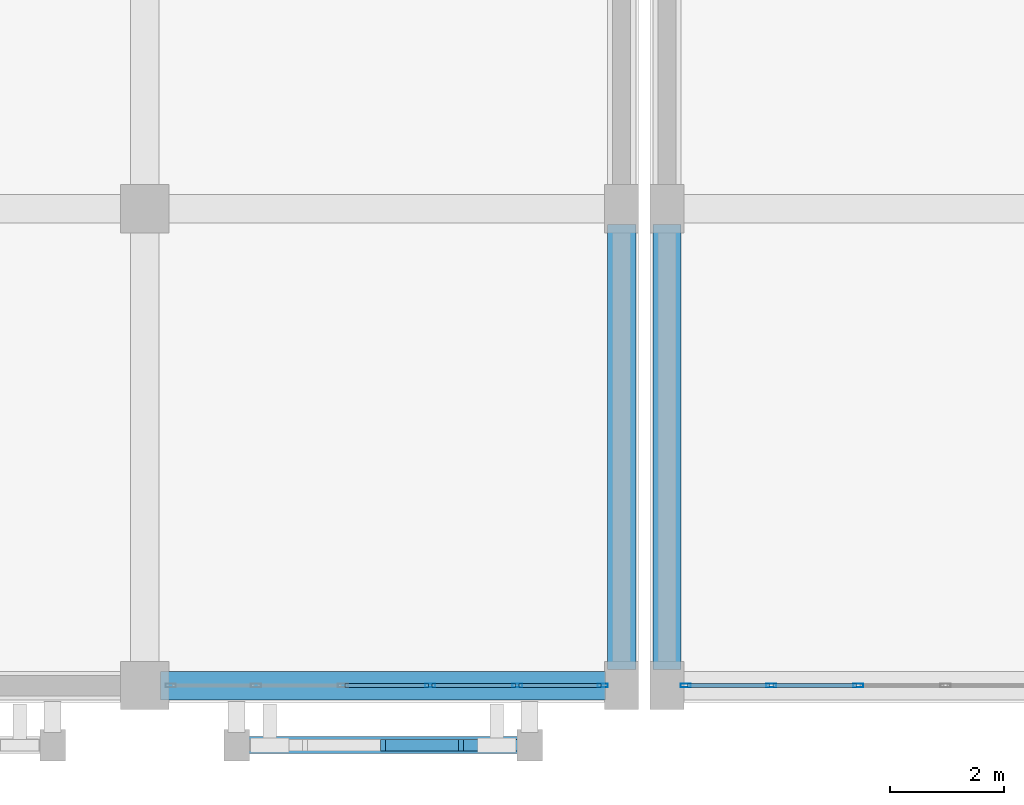
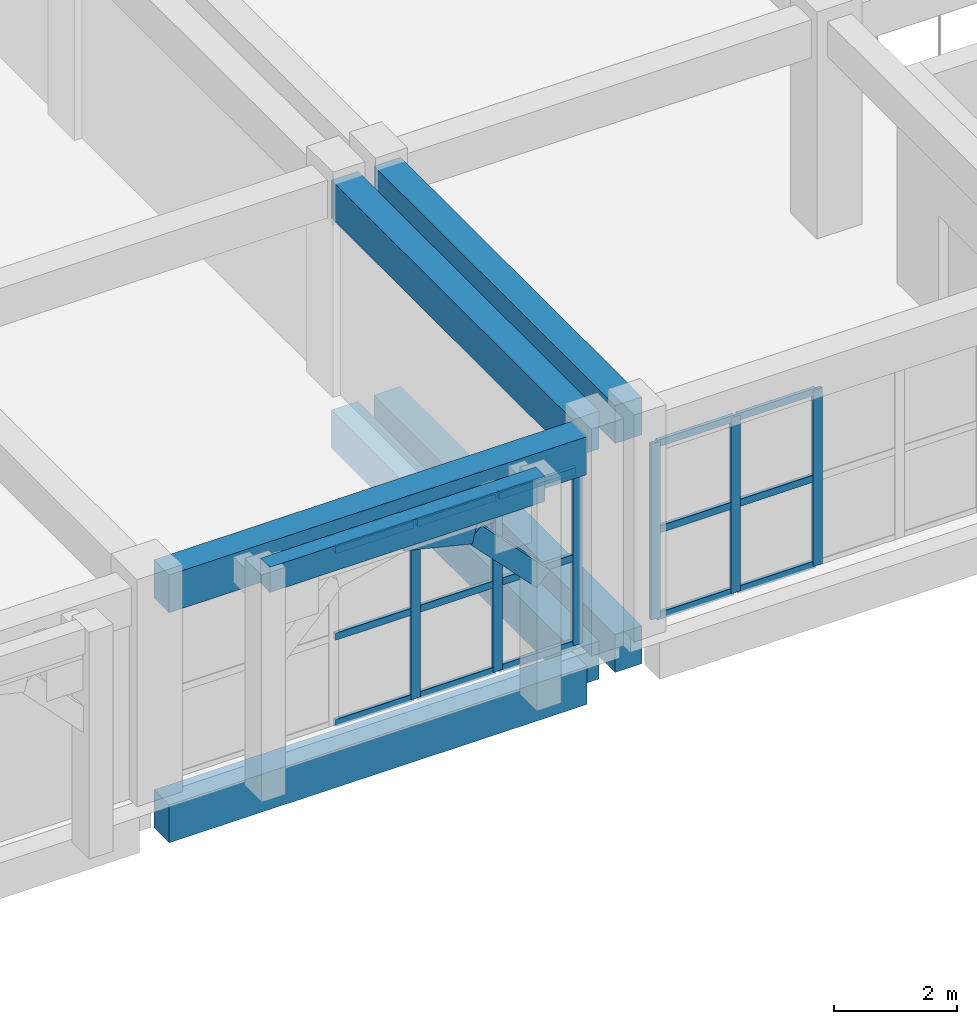
# One storey, part 25 of 129: 23 members, 7 beams, 2 elements without a shape of their own.
"""IFC4 building model written with IfcOpenShell, lengths in metres."""

from ifc_helpers import new_model, si_unit, direction, frame, origin, origin_2d, place, context, subcontext, project, spatial, rectangle, hollow_rectangle, extrude, material, layer, layer_set, material_profile, profile_set, type_object, element, aggregate, save


model = new_model("IFC4")

# Units and contexts
model_context = context("Model", 3, precision=1e-05, world=origin(), true_north=direction((0.0, 1.0)))
body_context = subcontext(model_context, "Body", "Model", "MODEL_VIEW")
ifc_project = project(units=[si_unit("LENGTHUNIT", "METRE"), si_unit("AREAUNIT", "SQUARE_METRE"), si_unit("VOLUMEUNIT", "CUBIC_METRE"), si_unit("PLANEANGLEUNIT", "RADIAN"), si_unit("MASSUNIT", "GRAM", prefix="KILO")], contexts=[model_context])

# Site, building, storey
site_placement = place(None, origin())
site = spatial("IfcSite", under=ifc_project, at=site_placement, CompositionType="ELEMENT")
building_placement = place(site_placement, origin())
building = spatial("IfcBuilding", under=site, at=building_placement, Name="Xazarin Passage Department Store", CompositionType="ELEMENT")
storey_placement = place(building_placement, frame((0.0, 0.0, 9.89990234375)))
storey = spatial("IfcBuildingStorey", under=building, at=storey_placement, Name="L02", CompositionType="ELEMENT", Elevation=9.89990234375)

# Curtain wall, members
ifc_material_1 = material(Name="Bronze anodised aluminium", Category="aluminium")
ifc_layer_1 = layer(ifc_material_1, 0.159912109375)
ifc_layer_set_1 = layer_set([ifc_layer_1], Name="Bronze anodised aluminium")
curtain_wall_type_1 = type_object("IfcCurtainWallType", Name="ARC-CW-ARC1", PredefinedType="NOTDEFINED", material=ifc_layer_set_1)
curtain_wall_1_placement = place(storey_placement, origin())
curtain_wall_1 = element("IfcCurtainWall", 1, at=curtain_wall_1_placement, inside=storey, type_object=curtain_wall_type_1, Name="L02 V2S Curtain Wall 104", PredefinedType="NOTDEFINED")
ifc_material_profile_1 = material_profile(ifc_material_1, hollow_rectangle(XDim=0.06494140625, YDim=0.179931640625, WallThickness=0.00390625, at=origin_2d()), Name="ALU 65x180")
ifc_profile_set_1 = profile_set([ifc_material_profile_1], Name="Bronze anodised aluminium")
member_type_1 = type_object("IfcMemberType", Name="ARC-CWM-65x180", PredefinedType="MULLION", material=ifc_profile_set_1)
member_1_placement = place(storey_placement, frame((68.33251953125, 0.0, 0.0), z_axis=(0.0, 0.0, 1.0), x_axis=(0.0, 1.0, 0.0)))
member_1 = element("IfcMember", 2, at=member_1_placement, type_object=member_type_1, Name="CW3 mullion 1", PredefinedType="MULLION", context=body_context, shape_type="SweptSolid", body=[
    extrude(hollow_rectangle(XDim=0.06494140625, YDim=0.179931640625, WallThickness=0.00390625, at=origin_2d()), origin(), (0.0, 0.0, 1.0), 3.489990234375),
])
member_2_placement = place(storey_placement, frame((69.8349609375, 0.0, 0.0), z_axis=(0.0, 0.0, 1.0), x_axis=(0.0, 1.0, 0.0)))
member_2 = element("IfcMember", 3, at=member_2_placement, type_object=member_type_1, Name="CW3 mullion 2", PredefinedType="MULLION", context=body_context, shape_type="SweptSolid", body=[
    extrude(hollow_rectangle(XDim=0.06494140625, YDim=0.179931640625, WallThickness=0.00390625, at=origin_2d()), origin(), (0.0, 0.0, 1.0), 3.489990234375),
])
member_3_placement = place(storey_placement, frame((71.3701171875, 0.0, 0.0), z_axis=(0.0, 0.0, 1.0), x_axis=(0.0, 1.0, 0.0)))
member_3 = element("IfcMember", 4, at=member_3_placement, type_object=member_type_1, Name="CW3 mullion 3", PredefinedType="MULLION", context=body_context, shape_type="SweptSolid", body=[
    extrude(hollow_rectangle(XDim=0.06494140625, YDim=0.179931640625, WallThickness=0.00390625, at=origin_2d()), origin(), (0.0, 0.0, 1.0), 3.489990234375),
])

ifc_layer_2 = layer(ifc_material_1, 0.18994140625)
ifc_layer_set_2 = layer_set([ifc_layer_2], Name="Bronze anodised aluminium")
curtain_wall_type_2 = type_object("IfcCurtainWallType", Name="ARC-CW-FDH1", PredefinedType="NOTDEFINED", material=ifc_layer_set_2)
curtain_wall_2_placement = place(storey_placement, origin())
curtain_wall_2 = element("IfcCurtainWall", 5, at=curtain_wall_2_placement, inside=storey, type_object=curtain_wall_type_2, Name="L02 V3 Curtain Wall 133", PredefinedType="NOTDEFINED")
member_4_placement = place(storey_placement, frame((63.830078125, 0.0, 0.0), z_axis=(0.0, 0.0, 1.0), x_axis=(0.0, 1.0, 0.0)))
member_4 = element("IfcMember", 6, at=member_4_placement, type_object=member_type_1, Name="CW5 mullion 4", PredefinedType="MULLION", context=body_context, shape_type="SweptSolid", body=[
    extrude(hollow_rectangle(XDim=0.06494140625, YDim=0.179931640625, WallThickness=0.00390625, at=origin_2d()), origin(), (0.0, 0.0, 1.0), 3.489990234375),
])
member_5_placement = place(storey_placement, frame((65.364990234375, 0.0, 0.0), z_axis=(0.0, 0.0, 1.0), x_axis=(0.0, 1.0, 0.0)))
member_5 = element("IfcMember", 7, at=member_5_placement, type_object=member_type_1, Name="CW5 mullion 5", PredefinedType="MULLION", context=body_context, shape_type="SweptSolid", body=[
    extrude(hollow_rectangle(XDim=0.06494140625, YDim=0.179931640625, WallThickness=0.00390625, at=origin_2d()), origin(), (0.0, 0.0, 1.0), 3.489990234375),
])
member_6_placement = place(storey_placement, frame((66.867431640625, 0.0, 0.0), z_axis=(0.0, 0.0, 1.0), x_axis=(0.0, 1.0, 0.0)))
member_6 = element("IfcMember", 8, at=member_6_placement, type_object=member_type_1, Name="CW5 mullion 6", PredefinedType="MULLION", context=body_context, shape_type="SweptSolid", body=[
    extrude(hollow_rectangle(XDim=0.06494140625, YDim=0.179931640625, WallThickness=0.00390625, at=origin_2d()), origin(), (0.0, 0.0, 1.0), 3.489990234375),
])

# Member
ifc_material_profile_2 = material_profile(ifc_material_1, hollow_rectangle(XDim=0.06494140625, YDim=0.139892578125, WallThickness=0.00390625, at=origin_2d()), Name="ALU 65x140")
ifc_profile_set_2 = profile_set([ifc_material_profile_2], Name="Bronze anodised aluminium")
member_type_2 = type_object("IfcMemberType", Name="ARC-CWT-65x140", PredefinedType="USERDEFINED", material=ifc_profile_set_2)
member_7_placement = place(storey_placement, frame((68.364990234375, 0.0, 0.03271484375), z_axis=(1.0, 0.0, 0.0), x_axis=(0.0, 1.0, 0.0)))
member_7 = element("IfcMember", 9, at=member_7_placement, type_object=member_type_2, Name="CW3 transom 1.1", ObjectType="TRANSOM", PredefinedType="USERDEFINED", context=body_context, shape_type="SweptSolid", body=[
    extrude(hollow_rectangle(XDim=0.06494140625, YDim=0.139892578125, WallThickness=0.00390625, at=origin_2d()), origin(), (0.0, 0.0, 1.0), 1.4375),
])

member_8_placement = place(storey_placement, frame((68.364990234375, 0.0, 1.7451171875), z_axis=(1.0, 0.0, 0.0), x_axis=(0.0, 1.0, 0.0)))
member_8 = element("IfcMember", 10, at=member_8_placement, type_object=member_type_2, Name="CW3 transom 1.2", ObjectType="TRANSOM", PredefinedType="USERDEFINED", context=body_context, shape_type="SweptSolid", body=[
    extrude(hollow_rectangle(XDim=0.06494140625, YDim=0.139892578125, WallThickness=0.00390625, at=origin_2d()), origin(), (0.0, 0.0, 1.0), 1.4375),
])

member_9_placement = place(storey_placement, frame((68.364990234375, 0.0, 3.45751953125), z_axis=(1.0, 0.0, 0.0), x_axis=(0.0, 1.0, 0.0)))
member_9 = element("IfcMember", 11, at=member_9_placement, type_object=member_type_2, Name="CW3 transom 1.3", ObjectType="TRANSOM", PredefinedType="USERDEFINED", context=body_context, shape_type="SweptSolid", body=[
    extrude(hollow_rectangle(XDim=0.06494140625, YDim=0.139892578125, WallThickness=0.00390625, at=origin_2d()), origin(), (0.0, 0.0, 1.0), 1.4375),
])

member_10_placement = place(storey_placement, frame((69.867431640625, 0.0, 0.03271484375), z_axis=(1.0, 0.0, 0.0), x_axis=(0.0, 1.0, 0.0)))
member_10 = element("IfcMember", 12, at=member_10_placement, type_object=member_type_2, Name="CW3 transom 2.1", ObjectType="TRANSOM", PredefinedType="USERDEFINED", context=body_context, shape_type="SweptSolid", body=[
    extrude(hollow_rectangle(XDim=0.06494140625, YDim=0.139892578125, WallThickness=0.00390625, at=origin_2d()), origin(), (0.0, 0.0, 1.0), 1.469970703125),
])

member_11_placement = place(storey_placement, frame((69.867431640625, 0.0, 1.7451171875), z_axis=(1.0, 0.0, 0.0), x_axis=(0.0, 1.0, 0.0)))
member_11 = element("IfcMember", 13, at=member_11_placement, type_object=member_type_2, Name="CW3 transom 2.2", ObjectType="TRANSOM", PredefinedType="USERDEFINED", context=body_context, shape_type="SweptSolid", body=[
    extrude(hollow_rectangle(XDim=0.06494140625, YDim=0.139892578125, WallThickness=0.00390625, at=origin_2d()), origin(), (0.0, 0.0, 1.0), 1.469970703125),
])

member_12_placement = place(storey_placement, frame((69.867431640625, 0.0, 3.45751953125), z_axis=(1.0, 0.0, 0.0), x_axis=(0.0, 1.0, 0.0)))
member_12 = element("IfcMember", 14, at=member_12_placement, type_object=member_type_2, Name="CW3 transom 2.3", ObjectType="TRANSOM", PredefinedType="USERDEFINED", context=body_context, shape_type="SweptSolid", body=[
    extrude(hollow_rectangle(XDim=0.06494140625, YDim=0.139892578125, WallThickness=0.00390625, at=origin_2d()), origin(), (0.0, 0.0, 1.0), 1.469970703125),
])

aggregate(curtain_wall_1, [member_1, member_2, member_3, member_7, member_8, member_9, member_10, member_11, member_12])

member_13_placement = place(storey_placement, frame((62.327392578125, 0.0, 0.03271484375), z_axis=(1.0, 0.0, 0.0), x_axis=(0.0, 1.0, 0.0)))
member_13 = element("IfcMember", 15, at=member_13_placement, type_object=member_type_2, Name="CW5 transom 3.1", ObjectType="TRANSOM", PredefinedType="USERDEFINED", context=body_context, shape_type="SweptSolid", body=[
    extrude(hollow_rectangle(XDim=0.06494140625, YDim=0.139892578125, WallThickness=0.00390625, at=origin_2d()), origin(), (0.0, 0.0, 1.0), 1.47021484375),
])

member_14_placement = place(storey_placement, frame((62.327392578125, 0.0, 1.7451171875), z_axis=(1.0, 0.0, 0.0), x_axis=(0.0, 1.0, 0.0)))
member_14 = element("IfcMember", 16, at=member_14_placement, type_object=member_type_2, Name="CW5 transom 3.2", ObjectType="TRANSOM", PredefinedType="USERDEFINED", context=body_context, shape_type="SweptSolid", body=[
    extrude(hollow_rectangle(XDim=0.06494140625, YDim=0.139892578125, WallThickness=0.00390625, at=origin_2d()), origin(), (0.0, 0.0, 1.0), 1.47021484375),
])

member_15_placement = place(storey_placement, frame((62.327392578125, 0.0, 3.45751953125), z_axis=(1.0, 0.0, 0.0), x_axis=(0.0, 1.0, 0.0)))
member_15 = element("IfcMember", 17, at=member_15_placement, type_object=member_type_2, Name="CW5 transom 3.3", ObjectType="TRANSOM", PredefinedType="USERDEFINED", context=body_context, shape_type="SweptSolid", body=[
    extrude(hollow_rectangle(XDim=0.06494140625, YDim=0.139892578125, WallThickness=0.00390625, at=origin_2d()), origin(), (0.0, 0.0, 1.0), 1.47021484375),
])

member_16_placement = place(storey_placement, frame((63.862548828125, 0.0, 0.03271484375), z_axis=(1.0, 0.0, 0.0), x_axis=(0.0, 1.0, 0.0)))
member_16 = element("IfcMember", 18, at=member_16_placement, type_object=member_type_2, Name="CW5 transom 4.1", ObjectType="TRANSOM", PredefinedType="USERDEFINED", context=body_context, shape_type="SweptSolid", body=[
    extrude(hollow_rectangle(XDim=0.06494140625, YDim=0.139892578125, WallThickness=0.00390625, at=origin_2d()), origin(), (0.0, 0.0, 1.0), 1.469970703125),
])

member_17_placement = place(storey_placement, frame((63.862548828125, 0.0, 1.7451171875), z_axis=(1.0, 0.0, 0.0), x_axis=(0.0, 1.0, 0.0)))
member_17 = element("IfcMember", 19, at=member_17_placement, type_object=member_type_2, Name="CW5 transom 4.2", ObjectType="TRANSOM", PredefinedType="USERDEFINED", context=body_context, shape_type="SweptSolid", body=[
    extrude(hollow_rectangle(XDim=0.06494140625, YDim=0.139892578125, WallThickness=0.00390625, at=origin_2d()), origin(), (0.0, 0.0, 1.0), 1.469970703125),
])

member_18_placement = place(storey_placement, frame((63.862548828125, 0.0, 3.45751953125), z_axis=(1.0, 0.0, 0.0), x_axis=(0.0, 1.0, 0.0)))
member_18 = element("IfcMember", 20, at=member_18_placement, type_object=member_type_2, Name="CW5 transom 4.3", ObjectType="TRANSOM", PredefinedType="USERDEFINED", context=body_context, shape_type="SweptSolid", body=[
    extrude(hollow_rectangle(XDim=0.06494140625, YDim=0.139892578125, WallThickness=0.00390625, at=origin_2d()), origin(), (0.0, 0.0, 1.0), 1.469970703125),
])

member_19_placement = place(storey_placement, frame((65.3974609375, 0.0, 0.03271484375), z_axis=(1.0, 0.0, 0.0), x_axis=(0.0, 1.0, 0.0)))
member_19 = element("IfcMember", 21, at=member_19_placement, type_object=member_type_2, Name="CW5 transom 5.1", ObjectType="TRANSOM", PredefinedType="USERDEFINED", context=body_context, shape_type="SweptSolid", body=[
    extrude(hollow_rectangle(XDim=0.06494140625, YDim=0.139892578125, WallThickness=0.00390625, at=origin_2d()), origin(), (0.0, 0.0, 1.0), 1.4375),
])

member_20_placement = place(storey_placement, frame((65.3974609375, 0.0, 1.7451171875), z_axis=(1.0, 0.0, 0.0), x_axis=(0.0, 1.0, 0.0)))
member_20 = element("IfcMember", 22, at=member_20_placement, type_object=member_type_2, Name="CW5 transom 5.2", ObjectType="TRANSOM", PredefinedType="USERDEFINED", context=body_context, shape_type="SweptSolid", body=[
    extrude(hollow_rectangle(XDim=0.06494140625, YDim=0.139892578125, WallThickness=0.00390625, at=origin_2d()), origin(), (0.0, 0.0, 1.0), 1.4375),
])

member_21_placement = place(storey_placement, frame((65.3974609375, 0.0, 3.45751953125), z_axis=(1.0, 0.0, 0.0), x_axis=(0.0, 1.0, 0.0)))
member_21 = element("IfcMember", 23, at=member_21_placement, type_object=member_type_2, Name="CW5 transom 5.3", ObjectType="TRANSOM", PredefinedType="USERDEFINED", context=body_context, shape_type="SweptSolid", body=[
    extrude(hollow_rectangle(XDim=0.06494140625, YDim=0.139892578125, WallThickness=0.00390625, at=origin_2d()), origin(), (0.0, 0.0, 1.0), 1.4375),
])

aggregate(curtain_wall_2, [member_4, member_5, member_6, member_13, member_14, member_15, member_16, member_17, member_18, member_19, member_20, member_21])

# Beams
ifc_material_2 = material(Name="Concrete C35/45", Category="concrete")
ifc_material_profile_3 = material_profile(ifc_material_2, rectangle(XDim=0.300048828125, YDim=0.5, at=origin_2d()), Name="RC 300x500")
ifc_profile_set_3 = profile_set([ifc_material_profile_3], Name="Concrete C35/45")
beam_type_1 = type_object("IfcBeamType", Name="STR-BM-LN300x500", PredefinedType="LINTEL", material=ifc_profile_set_3)
beam_1_placement = place(storey_placement, frame((60.419921875, -1.050048828125, 4.25), z_axis=(1.0, 0.0, 0.0), x_axis=(0.0, 1.0, 0.0)))
element("IfcBeam", 24, at=beam_1_placement, inside=storey, type_object=beam_type_1, Name="L02 V3 Colonnade Spandrel Beam 033", PredefinedType="LINTEL", context=body_context, shape_type="SweptSolid", body=[
    extrude(rectangle(XDim=0.300048828125, YDim=0.5, at=origin_2d()), origin(), (0.0, 0.0, 1.0), 5.16015625),
])
ifc_material_profile_4 = material_profile(ifc_material_2, rectangle(XDim=0.5, YDim=0.75, at=origin_2d()), Name="RC 500x750")
ifc_profile_set_4 = profile_set([ifc_material_profile_4], Name="Concrete C35/45")
beam_type_2 = type_object("IfcBeamType", Name="STR-BM-SP500x750", PredefinedType="SPANDREL", material=ifc_profile_set_4)
for number, where, z_axis, x_axis, name in (
    (25, (68.0, 0.280029296875, -0.6748046875), (0.0, 1.0, 0.0), (-1.0, 0.0, 0.0), "L02 Grid Beam 10/A-B"),
    (26, (68.0, 0.280029296875, 3.864990234375), (0.0, 1.0, 0.0), (-1.0, 0.0, 0.0), "L02 Grid Beam 10/A-B"),
):
    element("IfcBeam", number, at=place(storey_placement, frame(where, z_axis=z_axis, x_axis=x_axis)), inside=storey, type_object=beam_type_2, Name=name, PredefinedType="SPANDREL", context=body_context, shape_type="SweptSolid", body=[
        extrude(rectangle(XDim=0.5, YDim=0.75, at=origin_2d()), origin(), (0.0, 0.0, 1.0), 7.840087890625),
    ])
beam_2_placement = place(storey_placement, frame((59.080078125, 0.0, -0.69482421875), z_axis=(1.0, 0.0, 0.0), x_axis=(0.0, 1.0, 0.0)))
element("IfcBeam", 27, at=beam_2_placement, inside=storey, type_object=beam_type_2, Name="L02 Grid Beam A/8-9", PredefinedType="SPANDREL", context=body_context, shape_type="SweptSolid", body=[
    extrude(rectangle(XDim=0.5, YDim=0.75, at=origin_2d()), origin(), (0.0, 0.0, 1.0), 7.83984375),
])
beam_3_placement = place(storey_placement, frame((67.199951171875, 0.280029296875, -0.69482421875), z_axis=(0.0, 1.0, 0.0), x_axis=(-1.0, 0.0, 0.0)))
element("IfcBeam", 28, at=beam_3_placement, inside=storey, type_object=beam_type_2, Name="L02 Grid Beam 9/A-B", PredefinedType="SPANDREL", context=body_context, shape_type="SweptSolid", body=[
    extrude(rectangle(XDim=0.5, YDim=0.75, at=origin_2d()), origin(), (0.0, 0.0, 1.0), 7.840087890625),
])
beam_4_placement = place(storey_placement, frame((59.080078125, 0.0, 3.864990234375), z_axis=(1.0, 0.0, 0.0), x_axis=(0.0, 1.0, 0.0)))
element("IfcBeam", 29, at=beam_4_placement, inside=storey, type_object=beam_type_2, Name="L02 Grid Beam A/8-9", PredefinedType="SPANDREL", context=body_context, shape_type="SweptSolid", body=[
    extrude(rectangle(XDim=0.5, YDim=0.75, at=origin_2d()), origin(), (0.0, 0.0, 1.0), 7.83984375),
])
beam_5_placement = place(storey_placement, frame((67.199951171875, 0.280029296875, 3.864990234375), z_axis=(0.0, 1.0, 0.0), x_axis=(-1.0, 0.0, 0.0)))
element("IfcBeam", 30, at=beam_5_placement, inside=storey, type_object=beam_type_2, Name="L02 Grid Beam 9/A-B", PredefinedType="SPANDREL", context=body_context, shape_type="SweptSolid", body=[
    extrude(rectangle(XDim=0.5, YDim=0.75, at=origin_2d()), origin(), (0.0, 0.0, 1.0), 7.840087890625),
])

# Members
ifc_material_3 = material(Name="Concrete C40/50", Category="concrete")
ifc_material_profile_5 = material_profile(ifc_material_3, rectangle(XDim=0.199951171875, YDim=0.360107421875, at=origin_2d()), Name="RC 200x360")
ifc_profile_set_5 = profile_set([ifc_material_profile_5], Name="Concrete C40/50")
member_type_3 = type_object("IfcMemberType", Name="STR-MEM-ARC360", PredefinedType="CHORD", material=ifc_profile_set_5)
member_22_placement = place(storey_placement, frame((63.0, -1.050048828125, 4.080078125), z_axis=(0.972393983317, 0.0, -0.233345111818), x_axis=(0.0, 1.0, 0.0)))
element("IfcMember", 31, at=member_22_placement, inside=storey, type_object=member_type_3, Name="L02 V3 Pierced Lattice Curved Arch 033.3", PredefinedType="CHORD", context=body_context, shape_type="SweptSolid", body=[
    extrude(rectangle(XDim=0.199951171875, YDim=0.360107421875, at=origin_2d()), origin(), (0.0, 0.0, 1.0), 1.32666015625),
])
member_23_placement = place(storey_placement, frame((64.2900390625, -1.050048828125, 3.7705078125), z_axis=(0.693460080602, 0.0, -0.720495049679), x_axis=(0.0, 1.0, 0.0)))
element("IfcMember", 32, at=member_23_placement, inside=storey, type_object=member_type_3, Name="L02 V3 Pierced Lattice Curved Arch 033.4", PredefinedType="CHORD", context=body_context, shape_type="SweptSolid", body=[
    extrude(rectangle(XDim=0.199951171875, YDim=0.360107421875, at=origin_2d()), origin(), (0.0, 0.0, 1.0), 1.8603515625),
])

save(model, "model.ifc")
